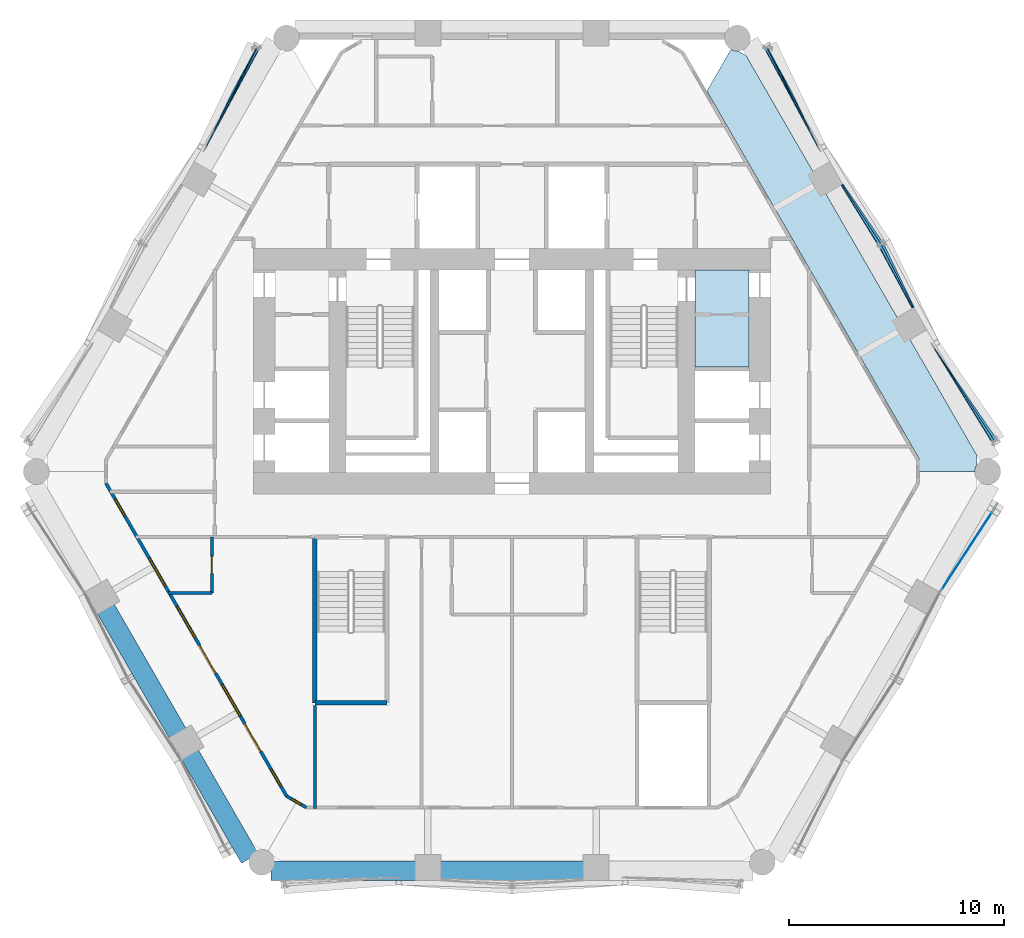
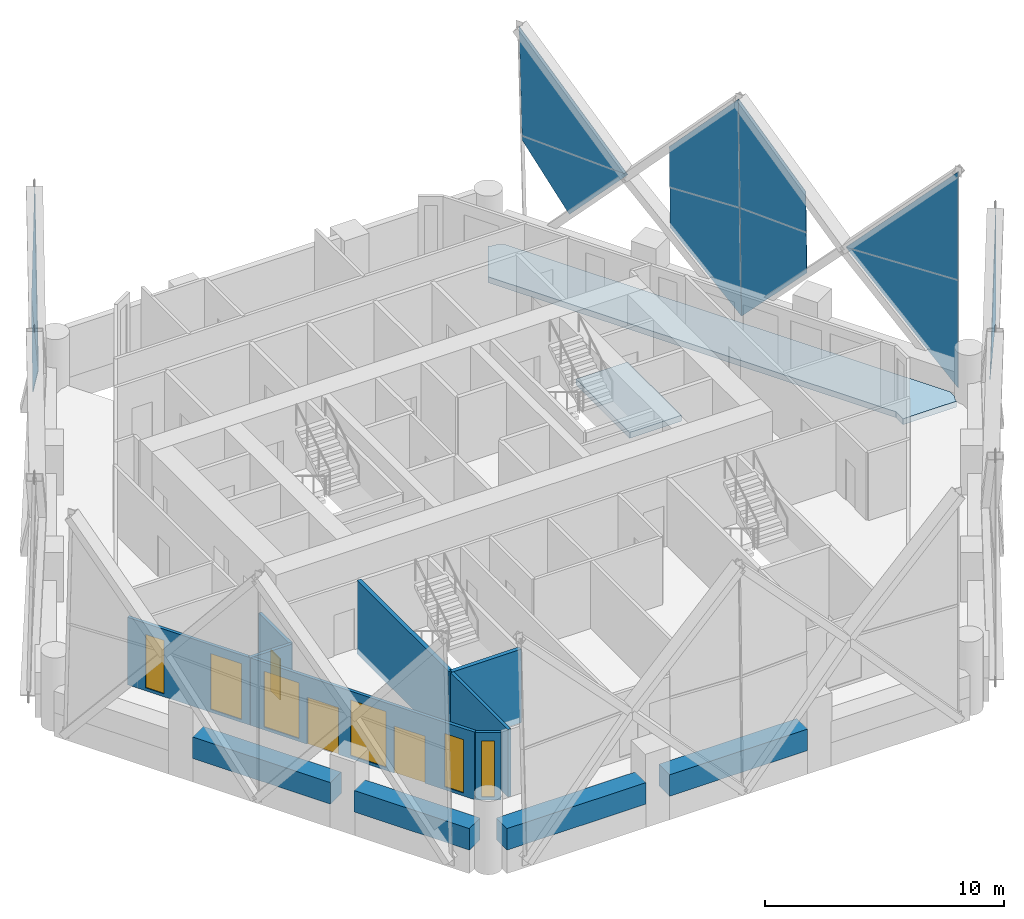
# One storey, part 11 of 21: 11 plates, 11 walls, 6 windows, 3 doors, 2 slabs, 9 openings, 7 elements without a shape of their own.
"""IFC4 building model written with IfcOpenShell, lengths in metres."""

from ifc_helpers import new_model, si_unit, direction, frame, frame_2d, origin, place, context, subcontext, project, spatial, polyline, rectangle, outline, extrude, material, layer, layer_set, type_object, element, fill, aggregate, save


model = new_model("IFC4")

# Units and contexts
model_context = context("Model", 3, precision=1e-05, world=origin(), true_north=direction((0.0, 1.0)))
body_context = subcontext(model_context, "Body", "Model", "MODEL_VIEW")
ifc_project = project(units=[si_unit("LENGTHUNIT", "METRE"), si_unit("AREAUNIT", "SQUARE_METRE"), si_unit("VOLUMEUNIT", "CUBIC_METRE"), si_unit("PLANEANGLEUNIT", "RADIAN"), si_unit("MASSUNIT", "GRAM", prefix="KILO")], contexts=[model_context])

# Site, building, storey
site_placement = place(None, origin())
site = spatial("IfcSite", under=ifc_project, at=site_placement, CompositionType="ELEMENT")
building_placement = place(site_placement, origin())
building = spatial("IfcBuilding", under=site, at=building_placement, Name="Ostrander Bayou Hotel Tower", CompositionType="ELEMENT")
storey_placement = place(building_placement, frame((0.0, 0.0, 116.0)))
storey = spatial("IfcBuildingStorey", under=building, at=storey_placement, Name="L28", CompositionType="ELEMENT", Elevation=116.0)

# Curtain wall, plate
ifc_material_1 = material(Name="Aluminium and clear glass", Category="aluminium")
curtain_wall_type = type_object("IfcCurtainWallType", Name="CW-LAT lattice glazing", PredefinedType="NOTDEFINED", material=ifc_material_1)
curtain_wall_1_placement = place(storey_placement, origin())
curtain_wall_1 = element("IfcCurtainWall", 1, at=curtain_wall_1_placement, inside=storey, type_object=curtain_wall_type, Name="CW-LAT L28 NW 3", PredefinedType="NOTDEFINED")
ifc_material_2 = material(Name="Clear laminated glass", Category="glass")
ifc_layer_1 = layer(ifc_material_2, 0.028076171875)
ifc_layer_set_1 = layer_set([ifc_layer_1], Name="CW-LA glazing panel 28 mm")
plate_type = type_object("IfcPlateType", Name="CW-LA glazing panel 28 mm", PredefinedType="CURTAIN_PANEL", material=ifc_layer_set_1)
plate_1_placement = place(storey_placement, frame((-12.978271484375, 16.98681640625, 1.8310546875), z_axis=(-0.890629604146, 0.454176866256, 0.022411657146), x_axis=(0.295252370192, 0.540092515544, 0.788115545177)))
plate_1 = element("IfcPlate", 2, at=plate_1_placement, type_object=plate_type, Name="CW-LAT panel 1", PredefinedType="CURTAIN_PANEL", context=body_context, shape_type="SweptSolid", body=[
    extrude(outline(polyline([(0.0, 0.0), (3.7619441844135992, 0.0), (3.944083634093776, -0.13892272519302074), (0.6972319489769248, -4.298925067396031), (0.0, 0.0)])), origin(), (0.0, 0.0, -1.0), 0.028076171875),
])
aggregate(curtain_wall_1, [plate_1])

curtain_wall_2_placement = place(storey_placement, origin())
curtain_wall_2 = element("IfcCurtainWall", 3, at=curtain_wall_2_placement, inside=storey, type_object=curtain_wall_type, Name="CW-LAT L28 NW 4", PredefinedType="NOTDEFINED")
plate_2_placement = place(storey_placement, frame((-14.259033203125, 14.3173828125, 5.02490234375), z_axis=(-0.890639951893, 0.454154221419, 0.022459280037), x_axis=(0.327277916771, 0.605967650514, 0.72504646177)))
plate_2 = element("IfcPlate", 4, at=plate_2_placement, type_object=plate_type, Name="CW-LAT panel 2", PredefinedType="CURTAIN_PANEL", context=body_context, shape_type="SweptSolid", body=[
    extrude(outline(polyline([(0.0, 0.0), (7.758123508761463, -4.440892098500626e-16), (3.6333141950851005, 3.827099858810031), (0.0, 0.0)])), origin(), (0.0, 0.0, -1.0), 0.028076171875),
])
aggregate(curtain_wall_2, [plate_2])

curtain_wall_3_placement = place(storey_placement, origin())
curtain_wall_3 = element("IfcCurtainWall", 5, at=curtain_wall_3_placement, inside=storey, type_object=curtain_wall_type, Name="CW-LAT L28 SE 2", PredefinedType="NOTDEFINED")
plate_3_placement = place(storey_placement, frame((19.896240234375, -6.190185546875, 5.02490234375), z_axis=(-0.838203577173, 0.545355837003, 0.001332013576), x_axis=(0.339337211246, 0.519640946596, 0.784106844559)))
plate_3 = element("IfcPlate", 6, at=plate_3_placement, type_object=plate_type, Name="CW-LAT panel 8", PredefinedType="CURTAIN_PANEL", context=body_context, shape_type="SweptSolid", body=[
    extrude(outline(polyline([(0.0, 0.0), (7.173767247449312, 0.0), (2.850878050136645, 3.6018449921234863), (0.0, 0.0)])), origin(), (0.0, 0.0, -1.0), 0.028076171875),
])
aggregate(curtain_wall_3, [plate_3])

curtain_wall_4_placement = place(storey_placement, origin())
curtain_wall_4 = element("IfcCurtainWall", 7, at=curtain_wall_4_placement, inside=storey, type_object=curtain_wall_type, Name="CW-LAT L28 NE 3", PredefinedType="NOTDEFINED")
plate_4_placement = place(storey_placement, frame((19.52880859375, 5.18994140625, 5.02490234375), z_axis=(0.838650768657, 0.544207199648, 0.022436846542), x_axis=(0.383752466944, -0.561145673504, -0.733382285866)))
plate_4 = element("IfcPlate", 8, at=plate_4_placement, type_object=plate_type, Name="CW-LAT panel 1", PredefinedType="CURTAIN_PANEL", context=body_context, shape_type="SweptSolid", body=[
    extrude(outline(polyline([(0.0, 0.0), (7.669942550301036, 4.440892098500626e-16), (3.586407440927981, -3.8711056912351505), (0.0, 0.0)])), origin(), (0.0, 0.0, -1.0), 0.028076171875),
])

curtain_wall_5_placement = place(storey_placement, origin())
curtain_wall_5 = element("IfcCurtainWall", 9, at=curtain_wall_5_placement, inside=storey, type_object=curtain_wall_type, Name="CW-LAT L28 NE 4", PredefinedType="NOTDEFINED")
plate_5_placement = place(storey_placement, frame((19.52880859375, 5.18994140625, 5.02490234375), z_axis=(0.838650768657, 0.544207199648, 0.022436846542), x_axis=(0.361137115625, -0.586422982718, 0.725043494597)))
plate_5 = element("IfcPlate", 10, at=plate_5_placement, type_object=plate_type, Name="CW-LAT panel 2", PredefinedType="CURTAIN_PANEL", context=body_context, shape_type="SweptSolid", body=[
    extrude(outline(polyline([(0.0, 0.0), (7.758155258151666, -4.440892098500626e-16), (3.633340045187415, 3.8270899807940593), (0.0, 0.0)])), origin(), (0.0, 0.0, -1.0), 0.028076171875),
])

curtain_wall_6_placement = place(storey_placement, origin())
curtain_wall_6 = element("IfcCurtainWall", 11, at=curtain_wall_6_placement, inside=storey, type_object=curtain_wall_type, Name="CW-LAT L28 NE 1", PredefinedType="NOTDEFINED")
plate_6_placement = place(storey_placement, frame((18.67333984375, 6.968017578125, 2.9248046875), z_axis=(0.890656654159, 0.454154509396, 0.021780863117), x_axis=(-0.296803245131, 0.617024086042, -0.728827216097)))
plate_6 = element("IfcPlate", 12, at=plate_6_placement, type_object=plate_type, Name="CW-LAT panel 3", PredefinedType="CURTAIN_PANEL", context=body_context, shape_type="SweptSolid", body=[
    extrude(outline(polyline([(0.0, 0.0), (4.836400349382451, 0.0), (0.7304573091408846, 3.8466726637135333), (-1.5307148289772865, 1.4385497622128633), (0.0, 0.0)])), origin(), (0.0, 0.0, -1.0), 0.028076171875),
])

curtain_wall_7_placement = place(storey_placement, origin())
curtain_wall_7 = element("IfcCurtainWall", 13, at=curtain_wall_7_placement, inside=storey, type_object=curtain_wall_type, Name="CW-LAT L28 NE 2", PredefinedType="NOTDEFINED")
plate_7_placement = place(storey_placement, frame((18.591796875, 6.92626953125, 7.130126953125), z_axis=(0.890646625783, 0.454172803964, 0.021809450276), x_axis=(-0.324758869911, 0.601825773579, 0.729614565829)))
plate_7 = element("IfcPlate", 14, at=plate_7_placement, type_object=plate_type, Name="CW-LAT panel 4", PredefinedType="CURTAIN_PANEL", context=body_context, shape_type="SweptSolid", body=[
    extrude(outline(polyline([(0.0, 0.0), (4.824155996870188, 0.0), (0.7223844649322733, -3.8511272446948666), (-1.5368336671230587, -1.4395227885783959), (0.0, 0.0)])), origin(), (0.0, 0.0, -1.0), 0.028076171875),
])

# Plate
plate_8_placement = place(storey_placement, frame((15.37109375, 12.687744140625, 2.9248046875), z_axis=(0.838646763957, 0.544240139773, 0.021777868676), x_axis=(0.385965082101, -0.565590062822, -0.728792725153)))
plate_8 = element("IfcPlate", 15, at=plate_8_placement, type_object=plate_type, Name="CW-LAT panel 5", PredefinedType="CURTAIN_PANEL", context=body_context, shape_type="SweptSolid", body=[
    extrude(outline(polyline([(0.0, 0.0), (4.836629647808147, 0.0), (0.7308395861718675, -3.8468359470799594), (-1.5305046540110934, -1.4387728736882825), (0.0, 0.0)])), origin(), (0.0, 0.0, -1.0), 0.028076171875),
])

aggregate(curtain_wall_4, [plate_4, plate_8])

plate_9_placement = place(storey_placement, frame((15.294189453125, 12.637939453125, 7.130126953125), z_axis=(0.838651226354, 0.544232352726, 0.021800614249), x_axis=(0.358813780547, -0.582151864499, 0.729624477077)))
plate_9 = element("IfcPlate", 16, at=plate_9_placement, type_object=plate_type, Name="CW-LAT panel 6", PredefinedType="CURTAIN_PANEL", context=body_context, shape_type="SweptSolid", body=[
    extrude(outline(polyline([(0.0, 0.0), (4.824091476423231, 8.881784197001252e-16), (0.7224739809354106, 3.8512912999961855), (-1.5366793893273751, 1.4396858016075385), (0.0, 0.0)])), origin(), (0.0, 0.0, -1.0), 0.028076171875),
])

aggregate(curtain_wall_5, [plate_5, plate_9])

plate_10_placement = place(storey_placement, frame((14.259033203125, 14.3173828125, 5.02490234375), z_axis=(0.890629604146, 0.454176866256, 0.022411657146), x_axis=(-0.454290960627, 0.890853367896, -5.57471e-07)))
plate_10 = element("IfcPlate", 17, at=plate_10_placement, type_object=plate_type, Name="CW-LAT panel 7", PredefinedType="CURTAIN_PANEL", context=body_context, shape_type="SweptSolid", body=[
    extrude(outline(polyline([(0.0, 0.0), (5.277088719386918, -6.938893903907228e-18), (5.274537896831539, -0.22905849909825252), (2.9599141593898293, -3.194651357316432), (0.0, 0.0)])), origin(), (0.0, 0.0, -1.0), 0.028076171875),
])

aggregate(curtain_wall_6, [plate_6, plate_10])

plate_11_placement = place(storey_placement, frame((14.259033203125, 14.3173828125, 5.02490234375), z_axis=(0.890639951893, 0.454154221419, 0.022459280037), x_axis=(-0.327277916771, 0.605967650514, 0.72504646177)))
plate_11 = element("IfcPlate", 18, at=plate_11_placement, type_object=plate_type, Name="CW-LAT panel 8", PredefinedType="CURTAIN_PANEL", context=body_context, shape_type="SweptSolid", body=[
    extrude(outline(polyline([(0.0, 0.0), (7.758123508761463, 4.440892098500626e-16), (3.6333141950851005, -3.827099858810031), (0.0, 0.0)])), origin(), (0.0, 0.0, -1.0), 0.028076171875),
])

aggregate(curtain_wall_7, [plate_7, plate_11])

# Slabs
ifc_material_3 = material(Name="Concrete f'c 40 MPa", Category="concrete")
ifc_layer_2 = layer(ifc_material_3, 0.300048828125)
ifc_layer_set_2 = layer_set([ifc_layer_2], Name="SL1 floor slab 300 mm f'c 40 MPa")
slab_type_1 = type_object("IfcSlabType", Name="SL1 floor slab 300 mm f'c 40 MPa", PredefinedType="FLOOR", material=ifc_layer_set_2)
slab_1_placement = place(storey_placement, frame((0.0, 0.0, -0.300048828125)))
element("IfcSlab", 19, at=slab_1_placement, inside=storey, type_object=slab_type_1, Name="cslab:L28:003", PredefinedType="FLOOR", context=body_context, shape_type="SweptSolid", body=[
    extrude(outline(polyline([(11.0, 4.199951171875), (11.0, 8.699951171875), (8.5, 8.699951171875), (8.5, 4.199951171875), (11.0, 4.199951171875)])), origin(), (0.0, 0.0, 1.0), 0.300048828125),
])
ifc_material_4 = material(Name="Concrete f'c 40 MPa", Category="concrete")
ifc_layer_3 = layer(ifc_material_4, 0.300048828125)
ifc_layer_set_3 = layer_set([ifc_layer_3], Name="SL4 loggia slab 300 mm f'c 40 MPa")
slab_type_2 = type_object("IfcSlabType", Name="SL4 loggia slab 300 mm f'c 40 MPa", PredefinedType="FLOOR", material=ifc_layer_set_3)
slab_2_placement = place(storey_placement, frame((0.0, 0.0, -0.300048828125)))
element("IfcSlab", 20, at=slab_2_placement, inside=storey, type_object=slab_type_2, Name="SL4 LOGGIA L28 NE 1", PredefinedType="FLOOR", context=body_context, shape_type="SweptSolid", body=[
    extrude(outline(polyline([(10.16748046875, 18.94140625), (10.236572265625, 18.904541015625), (10.34912109375, 18.870361328125), (10.466064453125, 18.85888671875), (10.498046875, 18.862060546875), (10.864990234375, 18.64990234375), (12.022216796875, 16.64599609375), (13.098388671875, 14.781494140625), (15.59619140625, 10.455322265625), (17.892822265625, 6.4775390625), (21.583984375, 0.08447265625), (21.583984375, -0.336181640625), (21.530517578125, -0.435791015625), (21.496337890625, -0.548583984375), (21.48486328125, -0.66552734375), (18.8994140625, -0.66552734375), (18.8994140625, -0.0654296875), (9.04638671875, 17.0), (10.16748046875, 18.94140625)])), origin(), (0.0, 0.0, 1.0), 0.300048828125),
])

# Wall, openings, doors, windows
ifc_material_5 = material(Name="Aluminium framed insulated wall", Category="aluminium")
ifc_layer_4 = layer(ifc_material_5, 0.14990234375)
ifc_layer_set_4 = layer_set([ifc_layer_4], Name="GW1 glass-line wall 150 mm")
wall_type_1 = type_object("IfcWallType", Name="GW1 glass-line wall 150 mm", PredefinedType="SOLIDWALL", material=ifc_layer_set_4)
wall_1_placement = place(storey_placement, frame((-18.8515625, -1.197998046875, 0.0), z_axis=(0.0, 0.0, 1.0), x_axis=(0.499992448691, -0.866029763491, 0.0)))
wall_1 = element("IfcWall", 21, at=wall_1_placement, inside=storey, type_object=wall_type_1, Name="GW1 L28 SW 1", PredefinedType="SOLIDWALL", context=body_context, shape_type="SweptSolid", body=[
    extrude(rectangle(XDim=16.776611328125, YDim=0.14990234375, at=frame_2d((8.38818359375, 0.0))), origin(), (0.0, 0.0, 1.0), 3.449951171875),
])
opening_1_placement = place(wall_1_placement, frame((4.015380859375, 0.0, 0.14990234375)))
opening_1 = element("IfcOpeningElement", 22, at=opening_1_placement, cuts=wall_1, Name="Opening W12", PredefinedType="OPENING", context=body_context, shape_type="SweptSolid", body=[
    extrude(rectangle(XDim=1.5, YDim=2.85009765625, at=frame_2d((0.75, 1.425048828125))), frame((0.0, 0.074951171875, 0.0), z_axis=(0.0, -1.0, 0.0), x_axis=(1.0, 0.0, 0.0)), (0.0, 0.0, 1.0), 0.14990234375),
])
opening_2_placement = place(wall_1_placement, frame((6.58837890625, 0.0, 0.14990234375)))
opening_2 = element("IfcOpeningElement", 23, at=opening_2_placement, cuts=wall_1, Name="Opening W2", PredefinedType="OPENING", context=body_context, shape_type="SweptSolid", body=[
    extrude(rectangle(XDim=1.699951171875, YDim=2.85009765625, at=frame_2d((0.85009765625, 1.425048828125))), frame((0.0, 0.074951171875, 0.0), z_axis=(0.0, -1.0, 0.0), x_axis=(1.0, 0.0, 0.0)), (0.0, 0.0, 1.0), 0.14990234375),
])
opening_3_placement = place(wall_1_placement, frame((8.688232421875, 0.0, 0.0)))
opening_3 = element("IfcOpeningElement", 24, at=opening_3_placement, cuts=wall_1, Name="Opening T28-800", PredefinedType="OPENING", context=body_context, shape_type="SweptSolid", body=[
    extrude(rectangle(XDim=1.5, YDim=2.39990234375, at=frame_2d((0.75, 1.199951171875))), frame((0.0, 0.074951171875, 0.0), z_axis=(0.0, -1.0, 0.0), x_axis=(1.0, 0.0, 0.0)), (0.0, 0.0, 1.0), 0.14990234375),
])
opening_4_placement = place(wall_1_placement, frame((10.788330078125, 0.0, 0.14990234375)))
opening_4 = element("IfcOpeningElement", 25, at=opening_4_placement, cuts=wall_1, Name="Opening W2", PredefinedType="OPENING", context=body_context, shape_type="SweptSolid", body=[
    extrude(rectangle(XDim=1.699951171875, YDim=2.85009765625, at=frame_2d((0.85009765625, 1.425048828125))), frame((0.0, 0.074951171875, 0.0), z_axis=(0.0, -1.0, 0.0), x_axis=(1.0, 0.0, 0.0)), (0.0, 0.0, 1.0), 0.14990234375),
])
opening_5_placement = place(wall_1_placement, frame((12.88818359375, 0.0, 0.0)))
opening_5 = element("IfcOpeningElement", 26, at=opening_5_placement, cuts=wall_1, Name="Opening T28-801", PredefinedType="OPENING", context=body_context, shape_type="SweptSolid", body=[
    extrude(rectangle(XDim=1.5, YDim=2.39990234375, at=frame_2d((0.75, 1.199951171875))), frame((0.0, 0.074951171875, 0.0), z_axis=(0.0, -1.0, 0.0), x_axis=(1.0, 0.0, 0.0)), (0.0, 0.0, 1.0), 0.14990234375),
])
opening_6_placement = place(wall_1_placement, frame((0.863037109375, 0.0, 0.14990234375)))
opening_6 = element("IfcOpeningElement", 27, at=opening_6_placement, cuts=wall_1, Name="Opening W16", PredefinedType="OPENING", context=body_context, shape_type="SweptSolid", body=[
    extrude(rectangle(XDim=0.89990234375, YDim=2.72998046875, at=frame_2d((0.449951171875, 1.364990234375))), frame((0.0, 0.074951171875, 0.0), z_axis=(0.0, -1.0, 0.0), x_axis=(1.0, 0.0, 0.0)), (0.0, 0.0, 1.0), 0.14990234375),
])
opening_7_placement = place(wall_1_placement, frame((15.33251953125, 0.0, 0.14990234375)))
opening_7 = element("IfcOpeningElement", 28, at=opening_7_placement, cuts=wall_1, Name="Opening W16", PredefinedType="OPENING", context=body_context, shape_type="SweptSolid", body=[
    extrude(rectangle(XDim=0.89990234375, YDim=2.72998046875, at=frame_2d((0.449951171875, 1.364990234375))), frame((0.0, 0.074951171875, 0.0), z_axis=(0.0, -1.0, 0.0), x_axis=(1.0, 0.0, 0.0)), (0.0, 0.0, 1.0), 0.14990234375),
])
ifc_material_6 = material(Name="Aluminium and clear glass", Category="aluminium")
door_type_1 = type_object("IfcDoorType", Name="SD2 sliding glass door 1500 mm, zone 2", OperationType="SLIDING_TO_LEFT", PredefinedType="DOOR", material=ifc_material_6)
door_1_placement = place(opening_3_placement, origin())
door_1 = element("IfcDoor", 29, at=door_1_placement, inside=storey, type_object=door_type_1, Name="SD2 L28 SW 2", OperationType="SLIDING_TO_RIGHT", OverallHeight=2.39990234375, OverallWidth=1.5, PredefinedType="DOOR", context=body_context, shape_type="SweptSolid", body=[
    extrude(rectangle(XDim=1.5, YDim=2.39990234375, at=frame_2d((0.75, 1.199951171875))), frame((0.0, 0.02490234375, 0.0), z_axis=(0.0, -1.0, 0.0), x_axis=(1.0, 0.0, 0.0)), (0.0, 0.0, 1.0), 0.050048828125),
])
fill(opening_3, door_1)
door_2_placement = place(opening_5_placement, origin())
door_2 = element("IfcDoor", 30, at=door_2_placement, inside=storey, type_object=door_type_1, Name="SD2 L28 SW 3", OperationType="SLIDING_TO_LEFT", OverallHeight=2.39990234375, OverallWidth=1.5, PredefinedType="DOOR", context=body_context, shape_type="SweptSolid", body=[
    extrude(rectangle(XDim=1.5, YDim=2.39990234375, at=frame_2d((0.75, 1.199951171875))), frame((0.0, 0.02490234375, 0.0), z_axis=(0.0, -1.0, 0.0), x_axis=(1.0, 0.0, 0.0)), (0.0, 0.0, 1.0), 0.050048828125),
])
fill(opening_5, door_2)
ifc_material_7 = material(Name="Aluminium and clear glass", Category="aluminium")
window_type_1 = type_object("IfcWindowType", Name="W12 fixed window 1500 mm, bath bay, zone 2", PartitioningType="SINGLE_PANEL", PredefinedType="WINDOW", material=ifc_material_7)
window_1_placement = place(opening_1_placement, origin())
window_1 = element("IfcWindow", 31, at=window_1_placement, inside=storey, type_object=window_type_1, Name="W12 L28 SW 1", OverallHeight=2.85009765625, OverallWidth=1.5, PartitioningType="SINGLE_PANEL", PredefinedType="WINDOW", context=body_context, shape_type="SweptSolid", body=[
    extrude(rectangle(XDim=1.5, YDim=2.85009765625, at=frame_2d((0.75, 1.425048828125))), frame((0.0, 0.030029296875, 0.0), z_axis=(0.0, -1.0, 0.0), x_axis=(1.0, 0.0, 0.0)), (0.0, 0.0, 1.0), 0.06005859375),
])
fill(opening_1, window_1)
ifc_material_8 = material(Name="Aluminium and clear glass", Category="aluminium")
window_type_2 = type_object("IfcWindowType", Name="W16 window 900 mm, zone 2", PartitioningType="SINGLE_PANEL", PredefinedType="WINDOW", material=ifc_material_8)
window_2_placement = place(opening_6_placement, origin())
window_2 = element("IfcWindow", 32, at=window_2_placement, inside=storey, type_object=window_type_2, Name="W16 L28 SW E11", OverallHeight=2.72998046875, OverallWidth=0.89990234375, PartitioningType="SINGLE_PANEL", PredefinedType="WINDOW", context=body_context, shape_type="SweptSolid", body=[
    extrude(rectangle(XDim=0.89990234375, YDim=2.72998046875, at=frame_2d((0.449951171875, 1.364990234375))), frame((0.0, 0.030029296875, 0.0), z_axis=(0.0, -1.0, 0.0), x_axis=(1.0, 0.0, 0.0)), (0.0, 0.0, 1.0), 0.06005859375),
])
fill(opening_6, window_2)
window_3_placement = place(opening_7_placement, origin())
window_3 = element("IfcWindow", 33, at=window_3_placement, inside=storey, type_object=window_type_2, Name="W16 L28 SW E21", OverallHeight=2.72998046875, OverallWidth=0.89990234375, PartitioningType="SINGLE_PANEL", PredefinedType="WINDOW", context=body_context, shape_type="SweptSolid", body=[
    extrude(rectangle(XDim=0.89990234375, YDim=2.72998046875, at=frame_2d((0.449951171875, 1.364990234375))), frame((0.0, 0.030029296875, 0.0), z_axis=(0.0, -1.0, 0.0), x_axis=(1.0, 0.0, 0.0)), (0.0, 0.0, 1.0), 0.06005859375),
])
fill(opening_7, window_3)
ifc_material_9 = material(Name="Aluminium and clear glass", Category="aluminium")
window_type_3 = type_object("IfcWindowType", Name="W2 fixed window 1700 mm, zone 2", PartitioningType="SINGLE_PANEL", PredefinedType="WINDOW", material=ifc_material_9)
window_4_placement = place(opening_2_placement, origin())
window_4 = element("IfcWindow", 34, at=window_4_placement, inside=storey, type_object=window_type_3, Name="W2 L28 SW 2", OverallHeight=2.85009765625, OverallWidth=1.699951171875, PartitioningType="SINGLE_PANEL", PredefinedType="WINDOW", context=body_context, shape_type="SweptSolid", body=[
    extrude(rectangle(XDim=1.699951171875, YDim=2.85009765625, at=frame_2d((0.85009765625, 1.425048828125))), frame((0.0, 0.030029296875, 0.0), z_axis=(0.0, -1.0, 0.0), x_axis=(1.0, 0.0, 0.0)), (0.0, 0.0, 1.0), 0.06005859375),
])
fill(opening_2, window_4)
window_5_placement = place(opening_4_placement, origin())
window_5 = element("IfcWindow", 35, at=window_5_placement, inside=storey, type_object=window_type_3, Name="W2 L28 SW 3", OverallHeight=2.85009765625, OverallWidth=1.699951171875, PartitioningType="SINGLE_PANEL", PredefinedType="WINDOW", context=body_context, shape_type="SweptSolid", body=[
    extrude(rectangle(XDim=1.699951171875, YDim=2.85009765625, at=frame_2d((0.85009765625, 1.425048828125))), frame((0.0, 0.030029296875, 0.0), z_axis=(0.0, -1.0, 0.0), x_axis=(1.0, 0.0, 0.0)), (0.0, 0.0, 1.0), 0.06005859375),
])
fill(opening_4, window_5)

# Wall, opening, window
wall_2_placement = place(storey_placement, frame((-10.46337890625, -15.72705078125, 0.0), z_axis=(0.0, 0.0, 1.0), x_axis=(0.866048165231, -0.499960573946, 0.0)))
wall_2 = element("IfcWall", 36, at=wall_2_placement, inside=storey, type_object=wall_type_1, Name="GW1 L28 corner 3", PredefinedType="SOLIDWALL", context=body_context, shape_type="SweptSolid", body=[
    extrude(rectangle(XDim=1.06494140625, YDim=0.14990234375, at=frame_2d((0.532470703125, 0.0))), origin(), (0.0, 0.0, 1.0), 3.449951171875),
])
opening_8_placement = place(wall_2_placement, frame((0.257568359375, 0.0, 0.14990234375)))
opening_8 = element("IfcOpeningElement", 37, at=opening_8_placement, cuts=wall_2, Name="Opening W19", PredefinedType="OPENING", context=body_context, shape_type="SweptSolid", body=[
    extrude(rectangle(XDim=0.550048828125, YDim=2.85009765625, at=frame_2d((0.27490234375, 1.425048828125))), frame((0.0, 0.074951171875, 0.0), z_axis=(0.0, -1.0, 0.0), x_axis=(1.0, 0.0, 0.0)), (0.0, 0.0, 1.0), 0.14990234375),
])
ifc_material_10 = material(Name="Aluminium and clear glass", Category="aluminium")
window_type_4 = type_object("IfcWindowType", Name="W19 corner window 550 mm", PartitioningType="SINGLE_PANEL", PredefinedType="WINDOW", material=ifc_material_10)
window_6_placement = place(opening_8_placement, origin())
window_6 = element("IfcWindow", 38, at=window_6_placement, inside=storey, type_object=window_type_4, Name="W19 L28 corner 3", OverallHeight=2.85009765625, OverallWidth=0.550048828125, PartitioningType="SINGLE_PANEL", PredefinedType="WINDOW", context=body_context, shape_type="SweptSolid", body=[
    extrude(rectangle(XDim=0.550048828125, YDim=2.85009765625, at=frame_2d((0.27490234375, 1.425048828125))), frame((0.0, 0.030029296875, 0.0), z_axis=(0.0, -1.0, 0.0), x_axis=(1.0, 0.0, 0.0)), (0.0, 0.0, 1.0), 0.06005859375),
])
fill(opening_8, window_6)

# Walls
ifc_material_11 = material(Name="Concrete f'c 40 MPa", Category="concrete")
ifc_layer_5 = layer(ifc_material_11, 0.89990234375)
ifc_layer_set_5 = layer_set([ifc_layer_5], Name="PA1 stone-faced parapet 900 mm")
wall_type_2 = type_object("IfcWallType", Name="PA1 stone-faced parapet 900 mm", PredefinedType="PARAPET", material=ifc_layer_set_5)
wall_3_placement = place(storey_placement, frame((-11.19384765625, -19.1845703125, 0.0), z_axis=(0.0, 0.0, 1.0), x_axis=(1.0, 0.0, 0.0)))
element("IfcWall", 39, at=wall_3_placement, inside=storey, type_object=wall_type_2, Name="PA1 L28 S-1", PredefinedType="PARAPET", context=body_context, shape_type="SweptSolid", body=[
    extrude(rectangle(XDim=6.717041015625, YDim=0.89990234375, at=frame_2d((3.3583984375, 0.0))), origin(), (0.0, 0.0, 1.0), 1.10009765625),
])
wall_4_placement = place(storey_placement, frame((-3.336669921875, -19.1845703125, 0.0), z_axis=(0.0, 0.0, 1.0), x_axis=(1.0, 0.0, 0.0)))
element("IfcWall", 40, at=wall_4_placement, inside=storey, type_object=wall_type_2, Name="PA1 L28 S-2", PredefinedType="PARAPET", context=body_context, shape_type="SweptSolid", body=[
    extrude(rectangle(XDim=6.67333984375, YDim=0.89990234375, at=frame_2d((3.336669921875, 0.0))), origin(), (0.0, 0.0, 1.0), 1.10009765625),
])
ifc_material_12 = material(Name="Limestone masonry", Category="masonry")
ifc_layer_6 = layer(ifc_material_12, 0.89990234375)
ifc_layer_set_6 = layer_set([ifc_layer_6], Name="PA2 limestone parapet 900 mm")
wall_type_3 = type_object("IfcWallType", Name="PA2 limestone parapet 900 mm", PredefinedType="PARAPET", material=ifc_layer_set_6)
wall_5_placement = place(storey_placement, frame((-18.85888671875, -7.035400390625, 0.0), z_axis=(0.0, 0.0, 1.0), x_axis=(0.499999023957, -0.866025967302, 0.0)))
element("IfcWall", 41, at=wall_5_placement, inside=storey, type_object=wall_type_3, Name="PA2 L28 SW-2", PredefinedType="PARAPET", context=body_context, shape_type="SweptSolid", body=[
    extrude(rectangle(XDim=6.67333984375, YDim=0.89990234375, at=frame_2d((3.336669921875, 0.0))), origin(), (0.0, 0.0, 1.0), 1.10009765625),
])
wall_6_placement = place(storey_placement, frame((-14.9521484375, -13.802001953125, 0.0), z_axis=(0.0, 0.0, 1.0), x_axis=(0.500008568482, -0.866020456713, 0.0)))
element("IfcWall", 42, at=wall_6_placement, inside=storey, type_object=wall_type_3, Name="PA2 L28 SW-3", PredefinedType="PARAPET", context=body_context, shape_type="SweptSolid", body=[
    extrude(rectangle(XDim=5.564453125, YDim=0.89990234375, at=frame_2d((2.7822265625, 0.0))), origin(), (0.0, 0.0, 1.0), 1.10009765625),
])
ifc_material_13 = material(Name="Gypsum board partition", Category="finish")
ifc_layer_7 = layer(ifc_material_13, 0.14990234375)
ifc_layer_set_7 = layer_set([ifc_layer_7], Name="PT8 service band wall 150 mm, 1 hour")
wall_type_4 = type_object("IfcWallType", Name="PT8 service band wall 150 mm, 1 hour", PredefinedType="PARTITIONING", material=ifc_layer_set_7)
wall_7_placement = place(storey_placement, frame((-15.9580078125, -6.300048828125, 0.0), z_axis=(0.0, 0.0, 1.0), x_axis=(1.0, 0.0, 0.0)))
element("IfcWall", 43, at=wall_7_placement, inside=storey, type_object=wall_type_4, Name="gw:L28:002", PredefinedType="PARTITIONING", context=body_context, shape_type="SweptSolid", body=[
    extrude(rectangle(XDim=2.028076171875, YDim=0.14990234375, at=frame_2d((1.01416015625, 0.0))), origin(), (0.0, 0.0, 1.0), 3.449951171875),
])
wall_8_placement = place(storey_placement, frame((-9.14990234375, -16.303955078125, 0.0), z_axis=(0.0, 0.0, 1.0), x_axis=(0.0, 1.0, 0.0)))
element("IfcWall", 44, at=wall_8_placement, inside=storey, type_object=wall_type_4, Name="gw:L28:028", PredefinedType="PARTITIONING", context=body_context, shape_type="SweptSolid", body=[
    extrude(rectangle(XDim=4.7939453125, YDim=0.14990234375, at=frame_2d((2.39697265625, 0.0))), origin(), (0.0, 0.0, 1.0), 3.449951171875),
])

# Wall, opening, door
wall_9_placement = place(storey_placement, frame((-13.929931640625, -6.300048828125, 0.0), z_axis=(0.0, 0.0, 1.0), x_axis=(0.0, 1.0, 0.0)))
wall_9 = element("IfcWall", 45, at=wall_9_placement, inside=storey, type_object=wall_type_4, Name="gw:L28:031", PredefinedType="PARTITIONING", context=body_context, shape_type="SweptSolid", body=[
    extrude(rectangle(XDim=2.60009765625, YDim=0.14990234375, at=frame_2d((1.300048828125, 0.0))), origin(), (0.0, 0.0, 1.0), 3.449951171875),
])
opening_9_placement = place(wall_9_placement, frame((0.89990234375, 0.0, 0.0)))
opening_9 = element("IfcOpeningElement", 46, at=opening_9_placement, cuts=wall_9, Name="Opening T28-404", PredefinedType="OPENING", context=body_context, shape_type="SweptSolid", body=[
    extrude(rectangle(XDim=0.800048828125, YDim=2.10009765625, at=frame_2d((0.39990234375, 1.050048828125))), frame((0.0, 0.074951171875, 0.0), z_axis=(0.0, -1.0, 0.0), x_axis=(1.0, 0.0, 0.0)), (0.0, 0.0, 1.0), 0.14990234375),
])
ifc_material_14 = material(Name="Timber door leaf", Category="wood")
door_type_2 = type_object("IfcDoorType", Name="D2 bathroom door 800 x 2100 mm", OperationType="SINGLE_SWING_LEFT", PredefinedType="DOOR", material=ifc_material_14)
door_3_placement = place(opening_9_placement, origin())
door_3 = element("IfcDoor", 47, at=door_3_placement, inside=storey, type_object=door_type_2, Name="dr:L28:404", OperationType="SINGLE_SWING_RIGHT", OverallHeight=2.10009765625, OverallWidth=0.800048828125, PredefinedType="DOOR", context=body_context, shape_type="SweptSolid", body=[
    extrude(rectangle(XDim=0.800048828125, YDim=2.10009765625, at=frame_2d((0.39990234375, 1.050048828125))), frame((0.0, 0.02490234375, 0.0), z_axis=(0.0, -1.0, 0.0), x_axis=(1.0, 0.0, 0.0)), (0.0, 0.0, 1.0), 0.050048828125),
])
fill(opening_9, door_3)

# Walls
ifc_material_15 = material(Name="Concrete f'c 45 MPa", Category="concrete")
ifc_layer_8 = layer(ifc_material_15, 0.199951171875)
ifc_layer_set_8 = layer_set([ifc_layer_8], Name="SW5 stair enclosure wall 200 mm f'c 45 MPa")
wall_type_5 = type_object("IfcWallType", Name="SW5 stair enclosure wall 200 mm f'c 45 MPa", PredefinedType="SOLIDWALL", material=ifc_layer_set_8)
wall_10_placement = place(storey_placement, frame((-9.14990234375, -3.699951171875, -0.300048828125), z_axis=(0.0, 0.0, 1.0), x_axis=(0.0, -1.0, 0.0)))
element("IfcWall", 48, at=wall_10_placement, inside=storey, type_object=wall_type_5, Name="cs:L28:022", PredefinedType="SOLIDWALL", context=body_context, shape_type="SweptSolid", body=[
    extrude(rectangle(XDim=7.699951171875, YDim=0.199951171875, at=frame_2d((3.85009765625, 0.0))), origin(), (0.0, 0.0, 1.0), 3.75),
])
wall_11_placement = place(storey_placement, frame((-9.14990234375, -11.39990234375, -0.300048828125), z_axis=(0.0, 0.0, 1.0), x_axis=(1.0, 0.0, 0.0)))
element("IfcWall", 49, at=wall_11_placement, inside=storey, type_object=wall_type_5, Name="cs:L28:024", PredefinedType="SOLIDWALL", context=body_context, shape_type="SweptSolid", body=[
    extrude(rectangle(XDim=3.349853515625, YDim=0.199951171875, at=frame_2d((1.6748046875, 0.0))), origin(), (0.0, 0.0, 1.0), 3.75),
])

save(model, "model.ifc")
